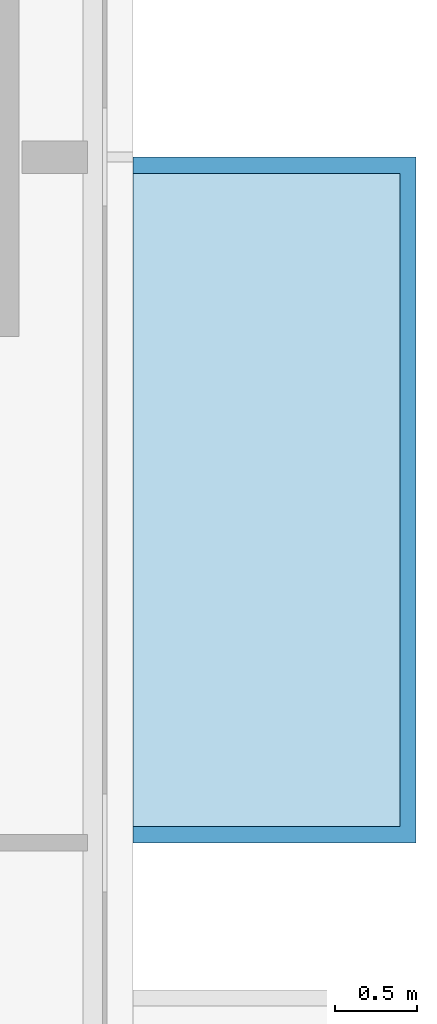
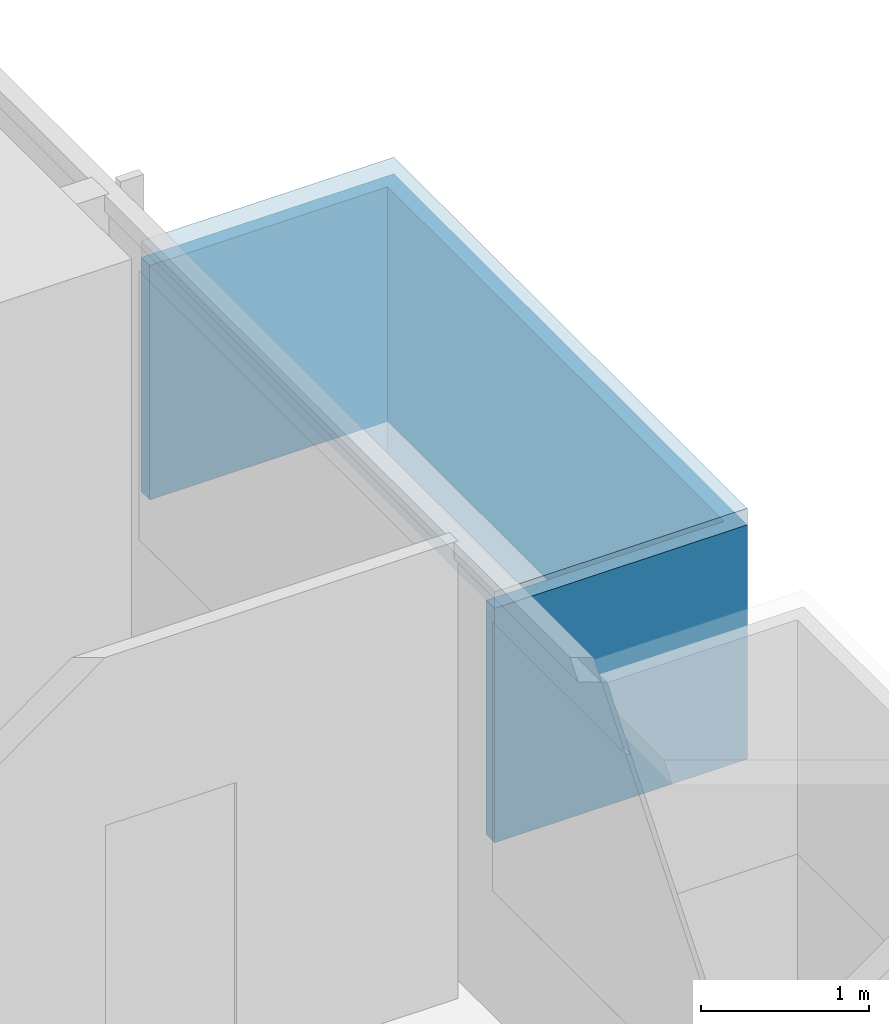
# One storey, part 17 of 27: 2 plates.
"""IFC4 building model written with IfcOpenShell, lengths in metres."""

from ifc_helpers import new_model, si_unit, direction, frame, origin, place, context, subcontext, project, spatial, polyline, outline, extrude, material, layer, layer_set, type_object, element, save


model = new_model("IFC4")

# Units and contexts
model_context = context("Model", 3, precision=1e-05, world=origin(), true_north=direction((0.0, 1.0)))
body_context = subcontext(model_context, "Body", "Model", "MODEL_VIEW")
ifc_project = project(units=[si_unit("LENGTHUNIT", "METRE"), si_unit("AREAUNIT", "SQUARE_METRE"), si_unit("VOLUMEUNIT", "CUBIC_METRE"), si_unit("PLANEANGLEUNIT", "RADIAN"), si_unit("MASSUNIT", "GRAM", prefix="KILO")], contexts=[model_context])

# Site, building, storey
site_placement = place(None, origin())
site = spatial("IfcSite", under=ifc_project, at=site_placement, CompositionType="ELEMENT")
building_placement = place(site_placement, origin())
building = spatial("IfcBuilding", under=site, at=building_placement, Name="Saffron Gate Tower", CompositionType="ELEMENT")
storey_placement = place(building_placement, frame((0.0, 0.0, 40.800048828125)))
storey = spatial("IfcBuildingStorey", under=building, at=storey_placement, Name="L08", CompositionType="ELEMENT", Elevation=40.800048828125)

# Plates
ifc_material_1 = material(Name="Aluminium, bronze anodised", Category="aluminium")
ifc_layer_1 = layer(ifc_material_1, 0.1201171875)
ifc_layer_set_1 = layer_set([ifc_layer_1], Name="WB2 box roof")
plate_type_1 = type_object("IfcPlateType", Name="WB2 box roof", PredefinedType="SHEET", material=ifc_layer_set_1)
plate_1_placement = place(storey_placement, frame((0.0, 0.0, 2.699951171875)))
element("IfcPlate", 1, at=plate_1_placement, inside=storey, type_object=plate_type_1, Name="WINDOW BOX roof", PredefinedType="SHEET", context=body_context, shape_type="SweptSolid", body=[
    extrude(outline(polyline([(127.199951171875, 61.199951171875), (127.199951171875, 65.39990234375), (128.93310546875, 65.39990234375), (128.93310546875, 61.199951171875), (127.199951171875, 61.199951171875)])), origin(), (0.0, 0.0, 1.0), 0.1201171875),
])
ifc_material_2 = material(Name="Clear low-iron laminated glass", Category="glass")
ifc_layer_2 = layer(ifc_material_2, 0.10009765625)
ifc_layer_set_2 = layer_set([ifc_layer_2], Name="WB6 box glazing")
plate_type_2 = type_object("IfcPlateType", Name="WB6 box glazing", PredefinedType="SHEET", material=ifc_layer_set_2)
plate_2_placement = place(storey_placement, frame((0.0, 0.0, 1.0)))
element("IfcPlate", 2, at=plate_2_placement, inside=storey, type_object=plate_type_2, Name="WINDOW BOX glazing", PredefinedType="SHEET", context=body_context, shape_type="SweptSolid", body=[
    extrude(outline(polyline([(127.199951171875, 61.199951171875), (127.199951171875, 61.300048828125), (128.8330078125, 61.300048828125), (128.8330078125, 65.300048828125), (127.199951171875, 65.300048828125), (127.199951171875, 65.39990234375), (128.93310546875, 65.39990234375), (128.93310546875, 61.199951171875), (127.199951171875, 61.199951171875)])), origin(), (0.0, 0.0, 1.0), 1.699951171875),
])

save(model, "model.ifc")
